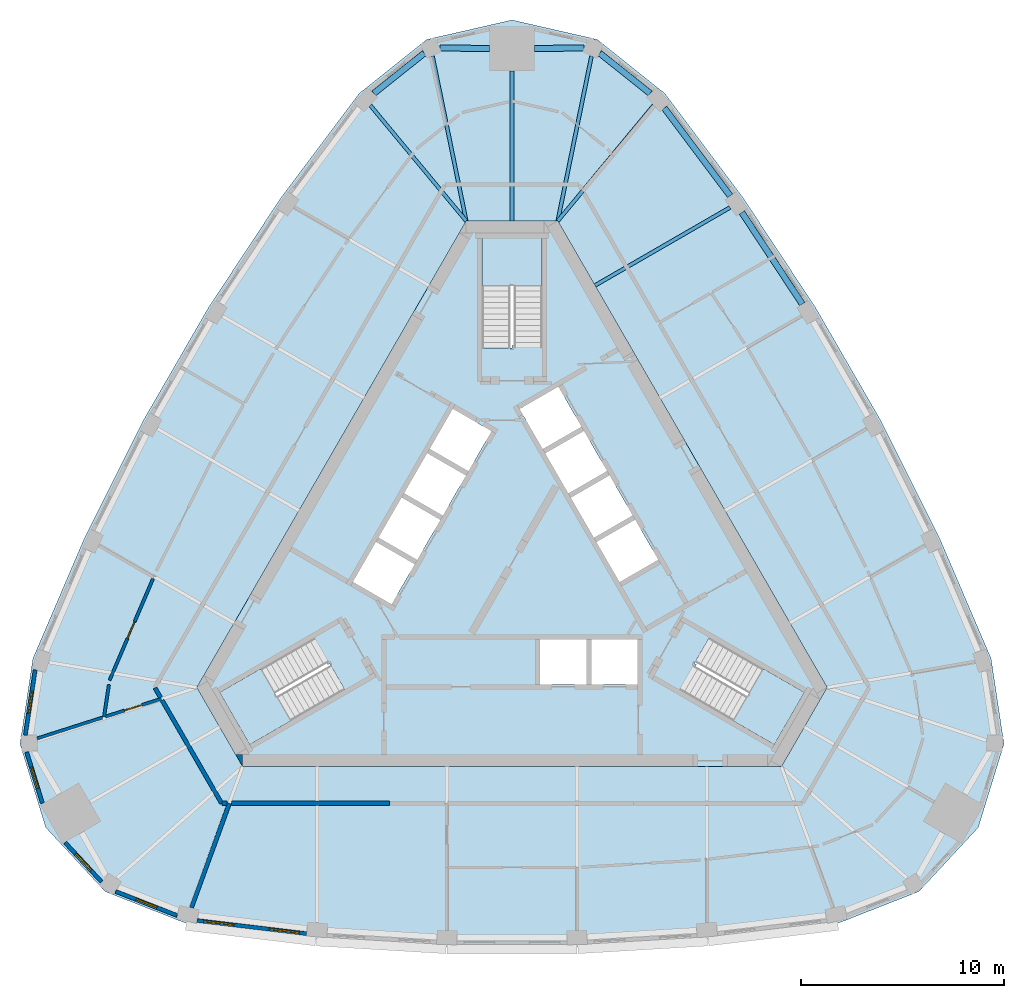
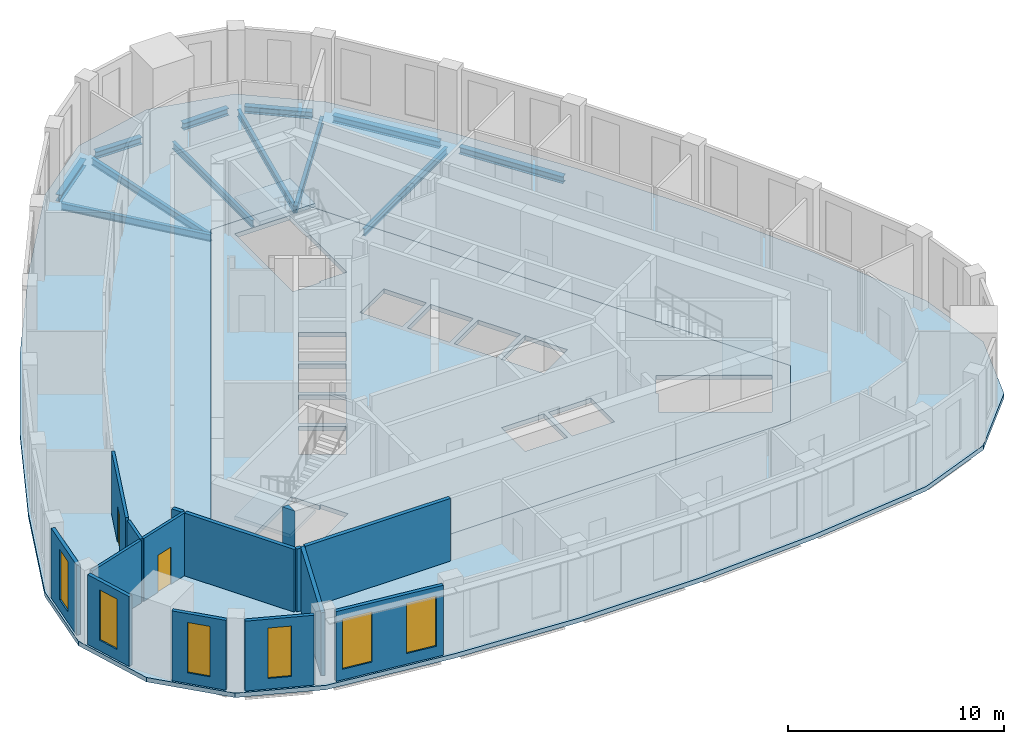
# One storey, part 2 of 10: 15 walls, 12 beams, 6 windows, 5 slabs, 2 doors, 8 openings, 3 elements without a shape of their own.
"""IFC4 building model written with IfcOpenShell, lengths in metres."""

from ifc_helpers import new_model, si_unit, direction, frame, frame_2d, origin, origin_2d, place, context, subcontext, project, spatial, polyline, rectangle, i_section, outline, extrude, material, layer, layer_set, material_profile, profile_set, type_object, element, fill, aggregate, save


model = new_model("IFC4")

# Units and contexts
model_context = context("Model", 3, precision=1e-05, world=origin(), true_north=direction((0.0, 1.0)))
body_context = subcontext(model_context, "Body", "Model", "MODEL_VIEW")
ifc_project = project(units=[si_unit("LENGTHUNIT", "METRE"), si_unit("AREAUNIT", "SQUARE_METRE"), si_unit("VOLUMEUNIT", "CUBIC_METRE"), si_unit("PLANEANGLEUNIT", "RADIAN"), si_unit("MASSUNIT", "GRAM", prefix="KILO")], contexts=[model_context])

# Site, building, storey
site_placement = place(None, origin())
site = spatial("IfcSite", under=ifc_project, at=site_placement, CompositionType="ELEMENT")
building_placement = place(site_placement, origin())
building = spatial("IfcBuilding", under=site, at=building_placement, Name="Mestral Congress Tower", CompositionType="ELEMENT")
storey_placement = place(building_placement, frame((0.0, 0.0, 267.0)))
storey = spatial("IfcBuildingStorey", under=building, at=storey_placement, Name="L62", CompositionType="ELEMENT", Elevation=267.0)

# Beams
ifc_material_1 = material(Name="Steel S355", Category="steel")
ifc_material_profile_1 = material_profile(ifc_material_1, i_section(OverallWidth=0.179931640625, OverallDepth=0.39990234375, WebThickness=0.008544921875, FlangeThickness=0.013427734375, FilletRadius=0.02099609375, at=origin_2d()), Name="IPE 400")
ifc_profile_set_1 = profile_set([ifc_material_profile_1], Name="Steel S355")
beam_type_1 = type_object("IfcBeamType", Name="Floor beam IPE 400 S355", PredefinedType="BEAM", material=ifc_profile_set_1)
beam_1_placement = place(storey_placement, frame((10.7275390625, 17.263916015625, -0.449951171875), z_axis=(-0.866019720907, -0.500009842903, 0.0), x_axis=(0.500009842903, -0.866019720907, 0.0)))
element("IfcBeam", 1, at=beam_1_placement, inside=storey, type_object=beam_type_1, Name="BM-L62-RB5-E04", PredefinedType="BEAM", context=body_context, shape_type="SweptSolid", body=[
    extrude(i_section(OverallWidth=0.179931640625, OverallDepth=0.39990234375, WebThickness=0.008544921875, FlangeThickness=0.013427734375, FilletRadius=0.02099609375, at=origin_2d()), origin(), (0.0, 0.0, 1.0), 7.672119140625),
])
beam_2_placement = place(storey_placement, frame((6.969970703125, 22.2890625, -0.449951171875), z_axis=(-0.638382651591, -0.769719163168, 0.0), x_axis=(0.769719163168, -0.638382651591, 0.0)))
element("IfcBeam", 2, at=beam_2_placement, inside=storey, type_object=beam_type_1, Name="BM-L62-RB5-E05", PredefinedType="BEAM", context=body_context, shape_type="SweptSolid", body=[
    extrude(i_section(OverallWidth=0.179931640625, OverallDepth=0.39990234375, WebThickness=0.008544921875, FlangeThickness=0.013427734375, FilletRadius=0.02099609375, at=origin_2d()), origin(), (0.0, 0.0, 1.0), 7.390869140625),
])
beam_3_placement = place(storey_placement, frame((3.910888671875, 24.7119140625, -0.449951171875), z_axis=(-0.200389803804, -0.979716247967, 0.0), x_axis=(0.979716247967, -0.200389803804, 0.0)))
element("IfcBeam", 3, at=beam_3_placement, inside=storey, type_object=beam_type_1, Name="BM-L62-RB5-N1", PredefinedType="BEAM", context=body_context, shape_type="SweptSolid", body=[
    extrude(i_section(OverallWidth=0.179931640625, OverallDepth=0.39990234375, WebThickness=0.008544921875, FlangeThickness=0.013427734375, FilletRadius=0.02099609375, at=origin_2d()), origin(), (0.0, 0.0, 1.0), 8.27978515625),
])
beam_4_placement = place(storey_placement, frame((0.0, 23.97802734375, -0.449951171875), z_axis=(0.0, -1.0, 0.0), x_axis=(1.0, 0.0, 0.0)))
element("IfcBeam", 4, at=beam_4_placement, inside=storey, type_object=beam_type_1, Name="BM-L62-RB5-N", PredefinedType="BEAM", context=body_context, shape_type="SweptSolid", body=[
    extrude(i_section(OverallWidth=0.179931640625, OverallDepth=0.39990234375, WebThickness=0.008544921875, FlangeThickness=0.013427734375, FilletRadius=0.02099609375, at=origin_2d()), origin(), (0.0, 0.0, 1.0), 7.3779296875),
])
beam_5_placement = place(storey_placement, frame((-3.910888671875, 24.7119140625, -0.449951171875), z_axis=(0.200389803804, -0.979716247967, 0.0), x_axis=(0.979716247967, 0.200389803804, 0.0)))
element("IfcBeam", 5, at=beam_5_placement, inside=storey, type_object=beam_type_1, Name="BM-L62-RB5-N3", PredefinedType="BEAM", context=body_context, shape_type="SweptSolid", body=[
    extrude(i_section(OverallWidth=0.179931640625, OverallDepth=0.39990234375, WebThickness=0.008544921875, FlangeThickness=0.013427734375, FilletRadius=0.02099609375, at=origin_2d()), origin(), (0.0, 0.0, 1.0), 8.27978515625),
])
beam_6_placement = place(storey_placement, frame((-6.969970703125, 22.2890625, -0.449951171875), z_axis=(0.638382651591, -0.769719163168, 0.0), x_axis=(0.769719163168, 0.638382651591, 0.0)))
element("IfcBeam", 6, at=beam_6_placement, inside=storey, type_object=beam_type_1, Name="BM-L62-RB5-W00", PredefinedType="BEAM", context=body_context, shape_type="SweptSolid", body=[
    extrude(i_section(OverallWidth=0.179931640625, OverallDepth=0.39990234375, WebThickness=0.008544921875, FlangeThickness=0.013427734375, FilletRadius=0.02099609375, at=origin_2d()), origin(), (0.0, 0.0, 1.0), 7.390869140625),
])
ifc_material_profile_2 = material_profile(ifc_material_1, i_section(OverallWidth=0.300048828125, OverallDepth=0.389892578125, WebThickness=0.010986328125, FlangeThickness=0.01904296875, FilletRadius=0.027099609375, at=origin_2d()), Name="HEA 400")
ifc_profile_set_2 = profile_set([ifc_material_profile_2], Name="Steel S355")
beam_type_2 = type_object("IfcBeamType", Name="Spandrel beam HEA 400 S355", PredefinedType="BEAM", material=ifc_profile_set_2)
beam_7_placement = place(storey_placement, frame((14.280517578125, 12.51611328125, -0.445068359375), z_axis=(-0.550748957655, 0.83467094453, 0.0), x_axis=(-0.83467094453, -0.550748957655, 0.0)))
element("IfcBeam", 7, at=beam_7_placement, inside=storey, type_object=beam_type_2, Name="SP-L62-SB5-E03", PredefinedType="BEAM", context=body_context, shape_type="SweptSolid", body=[
    extrude(i_section(OverallWidth=0.300048828125, OverallDepth=0.389892578125, WebThickness=0.010986328125, FlangeThickness=0.01904296875, FilletRadius=0.027099609375, at=origin_2d()), origin(), (0.0, 0.0, 1.0), 5.3984375),
])
beam_8_placement = place(storey_placement, frame((10.73193359375, 17.83984375, -0.445068359375), z_axis=(-0.599529393236, 0.800352738888, 0.0), x_axis=(-0.800352738888, -0.599529393236, 0.0)))
element("IfcBeam", 8, at=beam_8_placement, inside=storey, type_object=beam_type_2, Name="SP-L62-SB5-E04", PredefinedType="BEAM", context=body_context, shape_type="SweptSolid", body=[
    extrude(i_section(OverallWidth=0.300048828125, OverallDepth=0.389892578125, WebThickness=0.010986328125, FlangeThickness=0.01904296875, FilletRadius=0.027099609375, at=origin_2d()), origin(), (0.0, 0.0, 1.0), 5.396484375),
])
beam_9_placement = place(storey_placement, frame((6.7998046875, 22.876708984375, -0.445068359375), z_axis=(-0.781647188603, 0.623720829016, 0.0), x_axis=(-0.623720829016, -0.781647188603, 0.0)))
element("IfcBeam", 9, at=beam_9_placement, inside=storey, type_object=beam_type_2, Name="SP-L62-SB5-E05", PredefinedType="BEAM", context=body_context, shape_type="SweptSolid", body=[
    extrude(i_section(OverallWidth=0.300048828125, OverallDepth=0.389892578125, WebThickness=0.010986328125, FlangeThickness=0.01904296875, FilletRadius=0.027099609375, at=origin_2d()), origin(), (0.0, 0.0, 1.0), 3.179931640625),
])
for number, where, z_axis, x_axis, name in (
    (10, (3.54736328125, 25.11181640625, -0.445068359375), (-0.999955093848, -0.009476829002, 0.0), (0.009476829002, -0.999955093848, 0.0), "SP-L62-SB5-N1"),
    (11, (-1.10009765625, 25.088623046875, -0.445068359375), (-0.999955093848, 0.009476829002, 0.0), (-0.009476829002, -0.999955093848, 0.0), "SP-L62-SB5-N"),
):
    element("IfcBeam", number, at=place(storey_placement, frame(where, z_axis=z_axis, x_axis=x_axis)), inside=storey, type_object=beam_type_2, Name=name, PredefinedType="BEAM", context=body_context, shape_type="SweptSolid", body=[
        extrude(i_section(OverallWidth=0.300048828125, OverallDepth=0.389892578125, WebThickness=0.010986328125, FlangeThickness=0.01904296875, FilletRadius=0.027099609375, at=origin_2d()), origin(), (0.0, 0.0, 1.0), 2.447265625),
    ])
beam_10_placement = place(storey_placement, frame((-4.314208984375, 24.860107421875, -0.445068359375), z_axis=(-0.781647188603, -0.623720829016, 0.0), x_axis=(0.623720829016, -0.781647188603, 0.0)))
element("IfcBeam", 12, at=beam_10_placement, inside=storey, type_object=beam_type_2, Name="SP-L62-SB5-N3", PredefinedType="BEAM", context=body_context, shape_type="SweptSolid", body=[
    extrude(i_section(OverallWidth=0.300048828125, OverallDepth=0.389892578125, WebThickness=0.010986328125, FlangeThickness=0.01904296875, FilletRadius=0.027099609375, at=origin_2d()), origin(), (0.0, 0.0, 1.0), 3.179931640625),
])

# Slabs
ifc_material_2 = material(Name="Concrete C35/45", Category="concrete")
ifc_layer_1 = layer(ifc_material_2, 0.25)
ifc_layer_set_1 = layer_set([ifc_layer_1], Name="Concrete C35/45")
slab_type_1 = type_object("IfcSlabType", Name="Composite floor slab 250", PredefinedType="FLOOR", material=ifc_layer_set_1)
placement_1 = place(storey_placement, frame((0.0, 0.0, -0.25)))
element("IfcSlab", 13, at=placement_1, inside=storey, type_object=slab_type_1, Name="SL-L62", PredefinedType="FLOOR", context=body_context, shape_type="SweptSolid", body=[
    extrude(outline(polyline([(-16.051513671875, -17.951904296875), (-20.014404296875, -16.39794921875), (-22.940673828125, -13.244873046875), (-24.208251953125, -9.1337890625), (-23.572509765625, -4.925048828125), (-21.027587890625, 1.0234375), (-18.152099609375, 6.77001953125), (-14.939208984375, 12.335205078125), (-11.400146484375, 17.698486328125), (-7.52099609375, 22.876953125), (-4.19384765625, 25.531982421875), (0.0, 26.48974609375), (4.19384765625, 25.531982421875), (7.52099609375, 22.876953125), (11.400146484375, 17.698486328125), (14.939208984375, 12.335205078125), (18.152099609375, 6.77001953125), (21.027587890625, 1.0234375), (23.572509765625, -4.925048828125), (24.208251953125, -9.1337890625), (22.940673828125, -13.244873046875), (20.014404296875, -16.39794921875), (16.051513671875, -17.951904296875), (9.62744140625, -18.72216796875), (3.212890625, -19.105224609375), (-3.212890625, -19.105224609375), (-9.62744140625, -18.72216796875), (-16.051513671875, -17.951904296875)]), holes=[polyline([(-2.251708984375, 16.60009765625), (-15.501953125, -6.35009765625), (-13.250244140625, -10.25), (13.250244140625, -10.25), (15.501953125, -6.35009765625), (2.251708984375, 16.60009765625), (-2.251708984375, 16.60009765625)])]), origin(), (0.0, 0.0, 1.0), 0.25),
])
ifc_material_3 = material(Name="Concrete C60/75", Category="concrete")
ifc_layer_2 = layer(ifc_material_3, 0.25)
ifc_layer_set_2 = layer_set([ifc_layer_2], Name="Concrete C60/75")
slab_type_2 = type_object("IfcSlabType", Name="Core floor slab RC 250", PredefinedType="FLOOR", material=ifc_layer_set_2)
element("IfcSlab", 14, at=placement_1, inside=storey, type_object=slab_type_2, Name="L62 core floor", PredefinedType="FLOOR", context=body_context, shape_type="SweptSolid", body=[
    extrude(outline(polyline([(13.250244140625, -10.25), (-13.250244140625, -10.25), (-15.501953125, -6.35009765625), (-2.251708984375, 16.60009765625), (2.251708984375, 16.60009765625), (15.501953125, -6.35009765625), (13.250244140625, -10.25)]), holes=[polyline([(-14.37744140625, -6.59765625), (-12.90234375, -9.15234375), (-8.234619140625, -6.45751953125), (-8.971923828125, -5.179931640625), (-9.0673828125, -5.235107421875), (-9.8046875, -3.95751953125), (-14.37744140625, -6.59765625)]), polyline([(-5.921630859375, -2.256591796875), (-4.78662109375, -0.29052734375), (-6.69189453125, 0.809326171875), (-7.826904296875, -1.156494140625), (-5.921630859375, -2.256591796875)]), polyline([(-4.66162109375, -0.07421875), (-3.526611328125, 1.8916015625), (-5.431884765625, 2.99169921875), (-6.56689453125, 1.02587890625), (-4.66162109375, -0.07421875)]), polyline([(-2.2666015625, 4.07421875), (-4.171875, 5.174072265625), (-5.306884765625, 3.208251953125), (-3.401611328125, 2.1083984375), (-2.2666015625, 4.07421875)]), polyline([(-2.1416015625, 4.29052734375), (-1.006591796875, 6.256591796875), (-2.911865234375, 7.3564453125), (-4.046875, 5.390625), (-2.1416015625, 4.29052734375)]), polyline([(0.376708984375, 7.34765625), (1.51171875, 5.3818359375), (3.4169921875, 6.481689453125), (2.281982421875, 8.44775390625), (0.376708984375, 7.34765625)]), polyline([(1.47509765625, 15.75), (-1.47509765625, 15.75), (-1.47509765625, 10.360107421875), (0.0, 10.360107421875), (0.0, 10.469970703125), (1.47509765625, 10.469970703125), (1.47509765625, 15.75)]), polyline([(8.329833984375, -6.512451171875), (12.90234375, -9.15234375), (14.37744140625, -6.59765625), (9.70947265625, -3.902587890625), (8.971923828125, -5.179931640625), (9.0673828125, -5.235107421875), (8.329833984375, -6.512451171875)]), polyline([(3.655029296875, -4.0), (1.385009765625, -4.0), (1.385009765625, -6.199951171875), (3.655029296875, -6.199951171875), (3.655029296875, -4.0)]), polyline([(6.175048828125, -4.0), (3.905029296875, -4.0), (3.905029296875, -6.199951171875), (6.175048828125, -6.199951171875), (6.175048828125, -4.0)]), polyline([(4.156494140625, 0.800537109375), (5.29150390625, -1.165283203125), (7.197021484375, -0.065185546875), (6.06201171875, 1.900634765625), (4.156494140625, 0.800537109375)]), polyline([(2.896484375, 2.98291015625), (4.031494140625, 1.01708984375), (5.93701171875, 2.1171875), (4.802001953125, 4.0830078125), (2.896484375, 2.98291015625)]), polyline([(1.63671875, 5.165283203125), (2.771484375, 3.199462890625), (4.677001953125, 4.29931640625), (3.5419921875, 6.265380859375), (1.63671875, 5.165283203125)])]), origin(), (0.0, 0.0, 1.0), 0.25),
])

# Stair, slab
stair_type = type_object("IfcStairType", Name="Exit stair 1400", PredefinedType="HALF_TURN_STAIR", material=ifc_material_3)
placement_2 = place(storey_placement, origin())
stair_1 = element("IfcStair", 15, at=placement_2, inside=storey, type_object=stair_type, Name="L62 ST1", PredefinedType="HALF_TURN_STAIR")
ifc_layer_3 = layer(ifc_material_3, 0.199951171875)
ifc_layer_set_3 = layer_set([ifc_layer_3], Name="Concrete C60/75")
slab_type_3 = type_object("IfcSlabType", Name="Exit stair landing 200", PredefinedType="LANDING", material=ifc_layer_set_3)
placement_3 = place(storey_placement, frame((0.0, 0.0, 1.89990234375)))
slab_3 = element("IfcSlab", 16, at=placement_3, type_object=slab_type_3, Name="ST1 landing 1", PredefinedType="LANDING", context=body_context, shape_type="SweptSolid", body=[
    extrude(outline(polyline([(10.879638671875, -7.99609375), (12.364501953125, -5.424072265625), (14.39111328125, -6.593994140625), (12.906005859375, -9.166015625), (10.879638671875, -7.99609375)])), origin(), (0.0, 0.0, 1.0), 0.2001953125),
])
aggregate(stair_1, [slab_3])

stair_2 = element("IfcStair", 17, at=placement_2, inside=storey, type_object=stair_type, Name="L62 ST2", PredefinedType="HALF_TURN_STAIR")
slab_4 = element("IfcSlab", 18, at=placement_3, type_object=slab_type_3, Name="ST2 landing 1", PredefinedType="LANDING", context=body_context, shape_type="SweptSolid", body=[
    extrude(outline(polyline([(1.485107421875, 13.419921875), (-1.485107421875, 13.419921875), (-1.485107421875, 15.760009765625), (1.485107421875, 15.760009765625), (1.485107421875, 13.419921875)])), origin(), (0.0, 0.0, 1.0), 0.2001953125),
])
aggregate(stair_2, [slab_4])

stair_3 = element("IfcStair", 19, at=placement_2, inside=storey, type_object=stair_type, Name="L62 ST3", PredefinedType="HALF_TURN_STAIR")
slab_5 = element("IfcSlab", 20, at=placement_3, type_object=slab_type_3, Name="ST3 landing 1", PredefinedType="LANDING", context=body_context, shape_type="SweptSolid", body=[
    extrude(outline(polyline([(-12.364501953125, -5.424072265625), (-10.879638671875, -7.99609375), (-12.906005859375, -9.166015625), (-14.39111328125, -6.593994140625), (-12.364501953125, -5.424072265625)])), origin(), (0.0, 0.0, 1.0), 0.2001953125),
])
aggregate(stair_3, [slab_5])

# Wall
ifc_layer_4 = layer(ifc_material_3, 0.60009765625)
ifc_layer_set_4 = layer_set([ifc_layer_4], Name="Concrete C60/75")
wall_type_1 = type_object("IfcWallType", Name="Core wall RC 600", PredefinedType="SOLIDWALL", material=ifc_layer_set_4)
element("IfcWall", 21, at=placement_2, inside=storey, type_object=wall_type_1, Name="L62 core wall", PredefinedType="SOLIDWALL", context=body_context, shape_type="SweptSolid", body=[
    extrude(outline(polyline([(-13.5966796875, -9.64990234375), (-13.258544921875, -9.64990234375), (-13.258544921875, -10.235595703125), (-13.5966796875, -9.64990234375)])), origin(), (0.0, 0.0, 1.0), 4.199951171875),
])

# Wall, openings, windows
ifc_material_4 = material(Name="Precast concrete C40/50 with limestone facing", Category="masonry")
ifc_layer_5 = layer(ifc_material_4, 0.18994140625)
ifc_layer_set_5 = layer_set([ifc_layer_5], Name="Precast concrete C40/50 with limestone facing")
wall_type_2 = type_object("IfcWallType", Name="Facade stone wall 190", PredefinedType="SOLIDWALL", material=ifc_layer_set_5)
wall_2_placement = place(storey_placement, frame((-15.487060546875, -17.822998046875, 0.0), z_axis=(0.0, 0.0, 1.0), x_axis=(0.992885582795, -0.119072328769, 0.0)))
wall_2 = element("IfcWall", 22, at=wall_2_placement, inside=storey, type_object=wall_type_2, Name="Facade wall F0-00", PredefinedType="SOLIDWALL", context=body_context, shape_type="SweptSolid", body=[
    extrude(rectangle(XDim=5.4150390625, YDim=0.18994140625, at=frame_2d((2.70751953125, 0.0))), origin(), (0.0, 0.0, 1.0), 3.949951171875),
])
opening_1_placement = place(wall_2_placement, frame((0.322509765625, 0.0, 0.60009765625)))
opening_1 = element("IfcOpeningElement", 23, at=opening_1_placement, cuts=wall_2, Name="Opening W6", PredefinedType="OPENING", context=body_context, shape_type="SweptSolid", body=[
    extrude(rectangle(XDim=1.5, YDim=2.85009765625, at=frame_2d((0.75, 1.425048828125))), frame((0.0, 0.10498046875, 0.0), z_axis=(0.0, -1.0, 0.0), x_axis=(1.0, 0.0, 0.0)), (0.0, 0.0, 1.0), 0.2099609375),
])
opening_2_placement = place(wall_2_placement, frame((3.5576171875, 0.0, 0.60009765625)))
opening_2 = element("IfcOpeningElement", 24, at=opening_2_placement, cuts=wall_2, Name="Opening W6", PredefinedType="OPENING", context=body_context, shape_type="SweptSolid", body=[
    extrude(rectangle(XDim=1.5, YDim=2.85009765625, at=frame_2d((0.75, 1.425048828125))), frame((0.0, 0.10498046875, 0.0), z_axis=(0.0, -1.0, 0.0), x_axis=(1.0, 0.0, 0.0)), (0.0, 0.0, 1.0), 0.2099609375),
])
ifc_material_5 = material(Name="Clear low-emissivity double glazing", Category="glass")
window_type_1 = type_object("IfcWindowType", Name="Facade punched window 1500 x 2850 sill 600", PartitioningType="SINGLE_PANEL", PredefinedType="WINDOW", material=ifc_material_5)
window_1_placement = place(opening_1_placement, origin())
window_1 = element("IfcWindow", 25, at=window_1_placement, inside=storey, type_object=window_type_1, Name="Window F0-00a", OverallHeight=2.85009765625, OverallWidth=1.5, PartitioningType="SINGLE_PANEL", PredefinedType="WINDOW", context=body_context, shape_type="SweptSolid", body=[
    extrude(rectangle(XDim=1.5, YDim=2.85009765625, at=frame_2d((0.75, 1.425048828125))), frame((0.0, 0.044921875, 0.0), z_axis=(0.0, -1.0, 0.0), x_axis=(1.0, 0.0, 0.0)), (0.0, 0.0, 1.0), 0.06005859375),
])
fill(opening_1, window_1)
window_2_placement = place(opening_2_placement, origin())
window_2 = element("IfcWindow", 26, at=window_2_placement, inside=storey, type_object=window_type_1, Name="Window F0-00b", OverallHeight=2.85009765625, OverallWidth=1.5, PartitioningType="SINGLE_PANEL", PredefinedType="WINDOW", context=body_context, shape_type="SweptSolid", body=[
    extrude(rectangle(XDim=1.5, YDim=2.85009765625, at=frame_2d((0.75, 1.425048828125))), frame((0.0, 0.044921875, 0.0), z_axis=(0.0, -1.0, 0.0), x_axis=(1.0, 0.0, 0.0)), (0.0, 0.0, 1.0), 0.06005859375),
])
fill(opening_2, window_2)

# Wall, opening, window
wall_3_placement = place(storey_placement, frame((-23.460205078125, -5.488037109375, 0.0), z_axis=(0.0, 0.0, 1.0), x_axis=(-0.149421055602, -0.988773658702, 0.0)))
wall_3 = element("IfcWall", 27, at=wall_3_placement, inside=storey, type_object=wall_type_2, Name="Facade wall K2-0", PredefinedType="SOLIDWALL", context=body_context, shape_type="SweptSolid", body=[
    extrude(rectangle(XDim=3.23681640625, YDim=0.18994140625, at=frame_2d((1.618408203125, 0.0))), origin(), (0.0, 0.0, 1.0), 3.949951171875),
])
opening_3_placement = place(wall_3_placement, frame((1.068359375, 0.0, 0.60009765625)))
opening_3 = element("IfcOpeningElement", 28, at=opening_3_placement, cuts=wall_3, Name="Opening W7", PredefinedType="OPENING", context=body_context, shape_type="SweptSolid", body=[
    extrude(rectangle(XDim=1.10009765625, YDim=2.85009765625, at=frame_2d((0.550048828125, 1.425048828125))), frame((0.0, 0.10498046875, 0.0), z_axis=(0.0, -1.0, 0.0), x_axis=(1.0, 0.0, 0.0)), (0.0, 0.0, 1.0), 0.2099609375),
])
window_type_2 = type_object("IfcWindowType", Name="Facade punched window 1100 x 2850 sill 600", PartitioningType="SINGLE_PANEL", PredefinedType="WINDOW", material=ifc_material_5)
window_3_placement = place(opening_3_placement, origin())
window_3 = element("IfcWindow", 29, at=window_3_placement, inside=storey, type_object=window_type_2, Name="Window K2-0", OverallHeight=2.85009765625, OverallWidth=1.10009765625, PartitioningType="SINGLE_PANEL", PredefinedType="WINDOW", context=body_context, shape_type="SweptSolid", body=[
    extrude(rectangle(XDim=1.10009765625, YDim=2.85009765625, at=frame_2d((0.550048828125, 1.425048828125))), frame((0.0, 0.044921875, 0.0), z_axis=(0.0, -1.0, 0.0), x_axis=(1.0, 0.0, 0.0)), (0.0, 0.0, 1.0), 0.06005859375),
])
fill(opening_3, window_3)

wall_4_placement = place(storey_placement, frame((-23.880615234375, -9.53515625, 0.0), z_axis=(0.0, 0.0, 1.0), x_axis=(0.294706210429, -0.9555879078, 0.0)))
wall_4 = element("IfcWall", 30, at=wall_4_placement, inside=storey, type_object=wall_type_2, Name="Facade wall K2-1", PredefinedType="SOLIDWALL", context=body_context, shape_type="SweptSolid", body=[
    extrude(rectangle(XDim=2.626953125, YDim=0.18994140625, at=frame_2d((1.3134765625, 0.0))), origin(), (0.0, 0.0, 1.0), 3.949951171875),
])
opening_4_placement = place(wall_4_placement, frame((0.763427734375, 0.0, 0.60009765625)))
opening_4 = element("IfcOpeningElement", 31, at=opening_4_placement, cuts=wall_4, Name="Opening W7", PredefinedType="OPENING", context=body_context, shape_type="SweptSolid", body=[
    extrude(rectangle(XDim=1.10009765625, YDim=2.85009765625, at=frame_2d((0.550048828125, 1.425048828125))), frame((0.0, 0.10498046875, 0.0), z_axis=(0.0, -1.0, 0.0), x_axis=(1.0, 0.0, 0.0)), (0.0, 0.0, 1.0), 0.2099609375),
])
window_4_placement = place(opening_4_placement, origin())
window_4 = element("IfcWindow", 32, at=window_4_placement, inside=storey, type_object=window_type_2, Name="Window K2-1", OverallHeight=2.85009765625, OverallWidth=1.10009765625, PartitioningType="SINGLE_PANEL", PredefinedType="WINDOW", context=body_context, shape_type="SweptSolid", body=[
    extrude(rectangle(XDim=1.10009765625, YDim=2.85009765625, at=frame_2d((0.550048828125, 1.425048828125))), frame((0.0, 0.044921875, 0.0), z_axis=(0.0, -1.0, 0.0), x_axis=(1.0, 0.0, 0.0)), (0.0, 0.0, 1.0), 0.06005859375),
])
fill(opening_4, window_4)

wall_5_placement = place(storey_placement, frame((-21.98486328125, -13.988037109375, 0.0), z_axis=(0.0, 0.0, 1.0), x_axis=(0.680219354823, -0.733008614768, 0.0)))
wall_5 = element("IfcWall", 33, at=wall_5_placement, inside=storey, type_object=wall_type_2, Name="Facade wall K2-2", PredefinedType="SOLIDWALL", context=body_context, shape_type="SweptSolid", body=[
    extrude(rectangle(XDim=2.626953125, YDim=0.18994140625, at=frame_2d((1.3134765625, 0.0))), origin(), (0.0, 0.0, 1.0), 3.949951171875),
])
opening_5_placement = place(wall_5_placement, frame((0.763427734375, 0.0, 0.60009765625)))
opening_5 = element("IfcOpeningElement", 34, at=opening_5_placement, cuts=wall_5, Name="Opening W7", PredefinedType="OPENING", context=body_context, shape_type="SweptSolid", body=[
    extrude(rectangle(XDim=1.10009765625, YDim=2.85009765625, at=frame_2d((0.550048828125, 1.425048828125))), frame((0.0, 0.10498046875, 0.0), z_axis=(0.0, -1.0, 0.0), x_axis=(1.0, 0.0, 0.0)), (0.0, 0.0, 1.0), 0.2099609375),
])
window_5_placement = place(opening_5_placement, origin())
window_5 = element("IfcWindow", 35, at=window_5_placement, inside=storey, type_object=window_type_2, Name="Window K2-2", OverallHeight=2.85009765625, OverallWidth=1.10009765625, PartitioningType="SINGLE_PANEL", PredefinedType="WINDOW", context=body_context, shape_type="SweptSolid", body=[
    extrude(rectangle(XDim=1.10009765625, YDim=2.85009765625, at=frame_2d((0.550048828125, 1.425048828125))), frame((0.0, 0.044921875, 0.0), z_axis=(0.0, -1.0, 0.0), x_axis=(1.0, 0.0, 0.0)), (0.0, 0.0, 1.0), 0.06005859375),
])
fill(opening_5, window_5)

wall_6_placement = place(storey_placement, frame((-19.496337890625, -16.3916015625, 0.0), z_axis=(0.0, 0.0, 1.0), x_axis=(0.93100888477, -0.364996515709, 0.0)))
wall_6 = element("IfcWall", 36, at=wall_6_placement, inside=storey, type_object=wall_type_2, Name="Facade wall K2-3", PredefinedType="SOLIDWALL", context=body_context, shape_type="SweptSolid", body=[
    extrude(rectangle(XDim=3.23681640625, YDim=0.18994140625, at=frame_2d((1.618408203125, 0.0))), origin(), (0.0, 0.0, 1.0), 3.949951171875),
])
opening_6_placement = place(wall_6_placement, frame((1.068359375, 0.0, 0.60009765625)))
opening_6 = element("IfcOpeningElement", 37, at=opening_6_placement, cuts=wall_6, Name="Opening W7", PredefinedType="OPENING", context=body_context, shape_type="SweptSolid", body=[
    extrude(rectangle(XDim=1.10009765625, YDim=2.85009765625, at=frame_2d((0.550048828125, 1.425048828125))), frame((0.0, 0.10498046875, 0.0), z_axis=(0.0, -1.0, 0.0), x_axis=(1.0, 0.0, 0.0)), (0.0, 0.0, 1.0), 0.2099609375),
])
window_6_placement = place(opening_6_placement, origin())
window_6 = element("IfcWindow", 38, at=window_6_placement, inside=storey, type_object=window_type_2, Name="Window K2-3", OverallHeight=2.85009765625, OverallWidth=1.10009765625, PartitioningType="SINGLE_PANEL", PredefinedType="WINDOW", context=body_context, shape_type="SweptSolid", body=[
    extrude(rectangle(XDim=1.10009765625, YDim=2.85009765625, at=frame_2d((0.550048828125, 1.425048828125))), frame((0.0, 0.044921875, 0.0), z_axis=(0.0, -1.0, 0.0), x_axis=(1.0, 0.0, 0.0)), (0.0, 0.0, 1.0), 0.06005859375),
])
fill(opening_6, window_6)

# Wall, opening, door
ifc_material_6 = material(Name="Plasterboard partition on steel studs", Category="steel")
ifc_layer_6 = layer(ifc_material_6, 0.14990234375)
ifc_layer_set_6 = layer_set([ifc_layer_6], Name="Plasterboard partition on steel studs")
wall_type_3 = type_object("IfcWallType", Name="Office partition 150", PredefinedType="PARTITIONING", material=ifc_layer_set_6)
wall_7_placement = place(storey_placement, frame((-19.80029296875, -5.997802734375, 0.0), z_axis=(0.0, 0.0, 1.0), x_axis=(0.39332238233, 0.919400621904, 0.0)))
wall_7 = element("IfcWall", 39, at=wall_7_placement, inside=storey, type_object=wall_type_3, Name="Partition", PredefinedType="PARTITIONING", context=body_context, shape_type="SweptSolid", body=[
    extrude(rectangle(XDim=5.4306640625, YDim=0.14990234375, at=frame_2d((2.71533203125, 0.0))), origin(), (0.0, 0.0, 1.0), 3.550048828125),
])
opening_7_placement = place(wall_7_placement, frame((2.230712890625, 0.0, 0.0)))
opening_7 = element("IfcOpeningElement", 40, at=opening_7_placement, cuts=wall_7, Name="Opening O11-017", PredefinedType="OPENING", context=body_context, shape_type="SweptSolid", body=[
    extrude(rectangle(XDim=0.89990234375, YDim=2.10009765625, at=frame_2d((0.449951171875, 1.050048828125))), frame((0.0, 0.0849609375, 0.0), z_axis=(0.0, -1.0, 0.0), x_axis=(1.0, 0.0, 0.0)), (0.0, 0.0, 1.0), 0.169921875),
])
ifc_material_7 = material(Name="Timber door set", Category="wood")
door_type = type_object("IfcDoorType", Name="Office door 900x2100", OperationType="SINGLE_SWING_LEFT", PredefinedType="DOOR", material=ifc_material_7)
door_1_placement = place(opening_7_placement, origin())
door_1 = element("IfcDoor", 41, at=door_1_placement, inside=storey, type_object=door_type, Name="Door O11-017", OperationType="SINGLE_SWING_LEFT", OverallHeight=2.10009765625, OverallWidth=0.89990234375, PredefinedType="DOOR", context=body_context, shape_type="SweptSolid", body=[
    extrude(rectangle(XDim=0.89990234375, YDim=2.10009765625, at=frame_2d((0.449951171875, 1.050048828125))), frame((0.0, 0.02490234375, 0.0), z_axis=(0.0, -1.0, 0.0), x_axis=(1.0, 0.0, 0.0)), (0.0, 0.0, 1.0), 0.050048828125),
])
fill(opening_7, door_1)

# Walls
wall_8_placement = place(storey_placement, frame((-19.83251953125, -6.209716796875, 0.0), z_axis=(0.0, 0.0, 1.0), x_axis=(-0.149305499664, -0.988791114326, 0.0)))
element("IfcWall", 42, at=wall_8_placement, inside=storey, type_object=wall_type_3, Name="Partition", PredefinedType="PARTITIONING", context=body_context, shape_type="SweptSolid", body=[
    extrude(rectangle(XDim=1.620361328125, YDim=0.14990234375, at=frame_2d((0.81005859375, 0.0))), origin(), (0.0, 0.0, 1.0), 3.550048828125),
])
wall_9_placement = place(storey_placement, frame((-20.154296875, -7.837646484375, 0.0), z_axis=(0.0, 0.0, 1.0), x_axis=(-0.952501497002, -0.304533903217, 0.0)))
element("IfcWall", 43, at=wall_9_placement, inside=storey, type_object=wall_type_3, Name="Partition", PredefinedType="PARTITIONING", context=body_context, shape_type="SweptSolid", body=[
    extrude(rectangle(XDim=3.370361328125, YDim=0.14990234375, at=frame_2d((1.68505859375, 0.0))), origin(), (0.0, 0.0, 1.0), 3.550048828125),
])

# Wall, opening, door
wall_10_placement = place(storey_placement, frame((-17.25634765625, -6.910888671875, 0.0), z_axis=(0.0, 0.0, 1.0), x_axis=(-0.95247639241, -0.304612412587, 0.0)))
wall_10 = element("IfcWall", 44, at=wall_10_placement, inside=storey, type_object=wall_type_3, Name="Partition", PredefinedType="PARTITIONING", context=body_context, shape_type="SweptSolid", body=[
    extrude(rectangle(XDim=2.875, YDim=0.14990234375, at=frame_2d((1.4375, 0.0))), origin(), (0.0, 0.0, 1.0), 3.550048828125),
])
opening_8_placement = place(wall_10_placement, frame((1.0, 0.0, 0.0)))
opening_8 = element("IfcOpeningElement", 45, at=opening_8_placement, cuts=wall_10, Name="Opening O11-019", PredefinedType="OPENING", context=body_context, shape_type="SweptSolid", body=[
    extrude(rectangle(XDim=0.89990234375, YDim=2.10009765625, at=frame_2d((0.449951171875, 1.050048828125))), frame((0.0, 0.0849609375, 0.0), z_axis=(0.0, -1.0, 0.0), x_axis=(1.0, 0.0, 0.0)), (0.0, 0.0, 1.0), 0.169921875),
])
door_2_placement = place(opening_8_placement, origin())
door_2 = element("IfcDoor", 46, at=door_2_placement, inside=storey, type_object=door_type, Name="Door O11-019", OperationType="SINGLE_SWING_RIGHT", OverallHeight=2.10009765625, OverallWidth=0.89990234375, PredefinedType="DOOR", context=body_context, shape_type="SweptSolid", body=[
    extrude(rectangle(XDim=0.89990234375, YDim=2.10009765625, at=frame_2d((0.449951171875, 1.050048828125))), frame((0.0, 0.02490234375, 0.0), z_axis=(0.0, -1.0, 0.0), x_axis=(1.0, 0.0, 0.0)), (0.0, 0.0, 1.0), 0.050048828125),
])
fill(opening_8, door_2)

# Walls
ifc_material_8 = material(Name="Dense masonry wall, plastered", Category="masonry")
ifc_layer_7 = layer(ifc_material_8, 0.199951171875)
ifc_layer_set_7 = layer_set([ifc_layer_7], Name="Dense masonry wall, plastered")
wall_type_4 = type_object("IfcWallType", Name="Office tenancy wall 200", PredefinedType="PARTITIONING", material=ifc_layer_set_7)
wall_11_placement = place(storey_placement, frame((-15.7744140625, -17.190185546875, 0.0), z_axis=(0.0, 0.0, 1.0), x_axis=(0.341821907823, 0.93976474893, 0.0)))
element("IfcWall", 47, at=wall_11_placement, inside=storey, type_object=wall_type_4, Name="Tenancy wall", PredefinedType="PARTITIONING", context=body_context, shape_type="SweptSolid", body=[
    extrude(rectangle(XDim=5.469482421875, YDim=0.199951171875, at=frame_2d((2.73486328125, 0.0))), origin(), (0.0, 0.0, 1.0), 3.550048828125),
])
wall_12_placement = place(storey_placement, frame((-13.798583984375, -12.050048828125, 0.0), z_axis=(0.0, 0.0, 1.0), x_axis=(1.0, 0.0, 0.0)))
element("IfcWall", 48, at=wall_12_placement, inside=storey, type_object=wall_type_4, Name="Tenancy wall", PredefinedType="PARTITIONING", context=body_context, shape_type="SweptSolid", body=[
    extrude(rectangle(XDim=7.7685546875, YDim=0.199951171875, at=frame_2d((3.88427734375, 0.0))), origin(), (0.0, 0.0, 1.0), 3.550048828125),
])
wall_13_placement = place(storey_placement, frame((-17.565185546875, -6.3759765625, 0.0), z_axis=(0.0, 0.0, 1.0), x_axis=(0.499683376352, -0.866208129376, 0.0)))
element("IfcWall", 49, at=wall_13_placement, inside=storey, type_object=wall_type_4, Name="Tenancy wall", PredefinedType="PARTITIONING", context=body_context, shape_type="SweptSolid", body=[
    extrude(rectangle(XDim=0.540771484375, YDim=0.199951171875, at=frame_2d((0.2705078125, 0.0))), origin(), (0.0, 0.0, 1.0), 3.550048828125),
])
wall_14_placement = place(storey_placement, frame((-17.218017578125, -6.9775390625, 0.0), z_axis=(0.0, 0.0, 1.0), x_axis=(0.500012299885, -0.866018302326, 0.0)))
element("IfcWall", 50, at=wall_14_placement, inside=storey, type_object=wall_type_4, Name="Tenancy wall", PredefinedType="PARTITIONING", context=body_context, shape_type="SweptSolid", body=[
    extrude(rectangle(XDim=5.857177734375, YDim=0.199951171875, at=frame_2d((2.9287109375, 0.0))), origin(), (0.0, 0.0, 1.0), 3.550048828125),
])
wall_15_placement = place(storey_placement, frame((-14.259521484375, -12.050048828125, 0.0), z_axis=(0.0, 0.0, 1.0), x_axis=(1.0, 0.0, 0.0)))
element("IfcWall", 51, at=wall_15_placement, inside=storey, type_object=wall_type_4, Name="Tenancy wall", PredefinedType="PARTITIONING", context=body_context, shape_type="SweptSolid", body=[
    extrude(rectangle(XDim=0.248291015625, YDim=0.199951171875, at=frame_2d((0.1240234375, 0.0))), origin(), (0.0, 0.0, 1.0), 3.550048828125),
])

save(model, "model.ifc")
